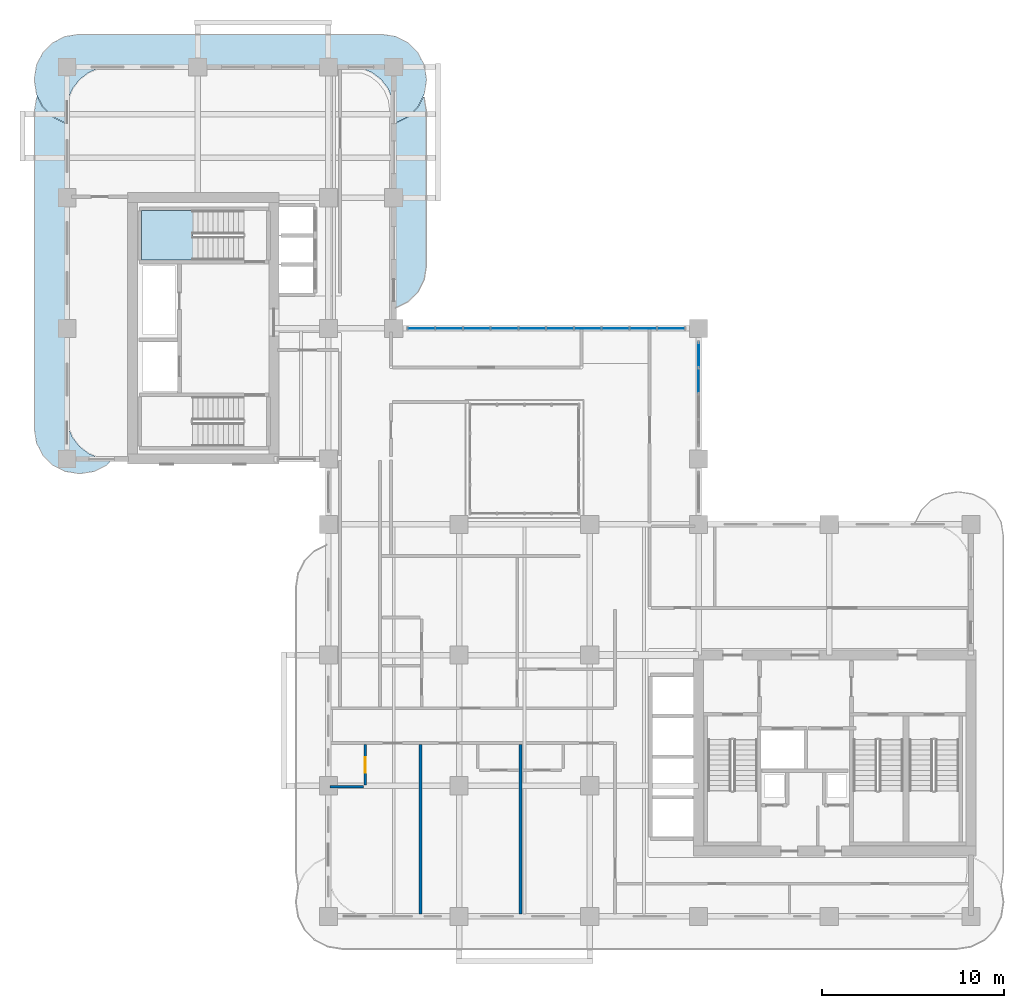
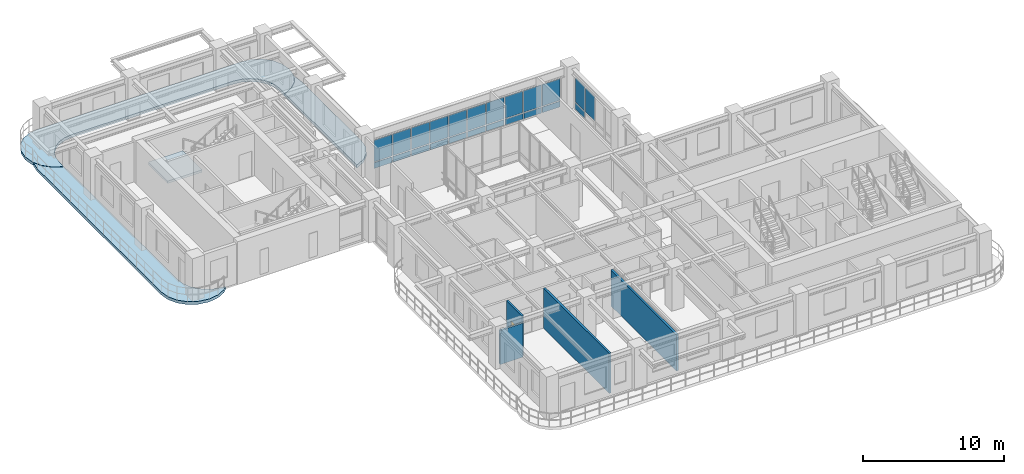
# One storey, part 10 of 19: 23 plates, 4 slabs, 4 walls, 1 door, 1 opening, 3 elements without a shape of their own.
"""IFC4 building model written with IfcOpenShell, lengths in metres."""

from ifc_helpers import new_model, si_unit, derived_unit, direction, frame, frame_2d, origin, origin_2d, place, context, subcontext, project, spatial, polyline, rectangle, outline, extrude, source, transform, mapped, material, layer, layer_set, type_object, type_shapes, element, fill, aggregate, save


model = new_model("IFC4")

# Units and contexts
model_context = context("Model", 3, precision=1e-05, world=origin(), true_north=direction((0.0, 1.0)))
body_context = subcontext(model_context, "Body", "Model", "MODEL_VIEW")
ifc_project = project(units=[si_unit("LENGTHUNIT", "METRE"), si_unit("AREAUNIT", "SQUARE_METRE"), si_unit("VOLUMEUNIT", "CUBIC_METRE"), si_unit("PLANEANGLEUNIT", "RADIAN"), si_unit("MASSUNIT", "GRAM", prefix="KILO"), si_unit("THERMODYNAMICTEMPERATUREUNIT", "KELVIN"), si_unit("POWERUNIT", "WATT"), derived_unit("THERMALTRANSMITTANCEUNIT", [(si_unit("POWERUNIT", "WATT"), 1), (si_unit("AREAUNIT", "SQUARE_METRE"), -1), (si_unit("THERMODYNAMICTEMPERATUREUNIT", "KELVIN"), -1)])], contexts=[model_context])

# Site, building, storey
site_placement = place(None, origin())
site = spatial("IfcSite", under=ifc_project, at=site_placement, CompositionType="ELEMENT")
building_placement = place(site_placement, origin())
building = spatial("IfcBuilding", under=site, at=building_placement, Name="Zahravan Archway Hotel and Residences", CompositionType="ELEMENT")
storey_placement = place(building_placement, frame((0.0, 0.0, 134.0)))
storey = spatial("IfcBuildingStorey", under=building, at=storey_placement, Name="L33", CompositionType="ELEMENT", Elevation=134.0)

# Slabs
ifc_material_1 = material(Name="Concrete C45/55", Category="concrete")
ifc_layer_1 = layer(ifc_material_1, 0.25, Name="Concrete C45/55", Category="concrete")
ifc_layer_set_1 = layer_set([ifc_layer_1], Name="Concrete C45/55")
slab_type_1 = type_object("IfcSlabType", Name="SLB-BALC-250", PredefinedType="FLOOR", material=ifc_layer_set_1)
slab_1_placement = place(storey_placement, frame((0.0, 0.0, -0.25)))
element("IfcSlab", 1, at=slab_1_placement, inside=storey, type_object=slab_type_1, Name="L33 Wing B North Rounded Balcony Band", PredefinedType="FLOOR", context=body_context, shape_type="SweptSolid", body=[
    extrude(outline(polyline([(-0.107177734375, 43.719970703125), (-0.7900390625, 44.06787109375), (-1.33203125, 44.60986328125), (-1.68017578125, 45.29296875), (-1.800048828125, 46.050048828125), (-1.800048828125, 46.14990234375), (-1.68017578125, 46.906982421875), (-1.33203125, 47.590087890625), (-0.7900390625, 48.132080078125), (-0.107177734375, 48.47998046875), (0.64990234375, 48.60009765625), (17.35009765625, 48.60009765625), (18.107177734375, 48.47998046875), (18.7900390625, 48.132080078125), (19.33203125, 47.590087890625), (19.68017578125, 46.906982421875), (19.800048828125, 46.14990234375), (19.800048828125, 46.050048828125), (19.68017578125, 45.29296875), (19.33203125, 44.60986328125), (18.7900390625, 44.06787109375), (18.107177734375, 43.719970703125), (18.02001953125, 43.7060546875), (18.02001953125, 44.39990234375), (18.019775390625, 44.402587890625), (17.93798828125, 45.023681640625), (17.937744140625, 45.025390625), (17.937255859375, 45.027099609375), (17.936767578125, 45.02880859375), (17.697021484375, 45.607666015625), (17.6962890625, 45.609130859375), (17.6953125, 45.610595703125), (17.6943359375, 45.6123046875), (17.31298828125, 46.109375), (17.311767578125, 46.110595703125), (17.310546875, 46.11181640625), (17.309326171875, 46.113037109375), (16.812255859375, 46.494384765625), (16.810791015625, 46.495361328125), (16.80908203125, 46.49609375), (16.8076171875, 46.4970703125), (16.22900390625, 46.73681640625), (16.227294921875, 46.7373046875), (16.2255859375, 46.73779296875), (16.223876953125, 46.738037109375), (15.6025390625, 46.81982421875), (15.60009765625, 46.820068359375), (2.39990234375, 46.820068359375), (2.3974609375, 46.81982421875), (1.776123046875, 46.738037109375), (1.7744140625, 46.73779296875), (1.772705078125, 46.7373046875), (1.77099609375, 46.73681640625), (1.1923828125, 46.4970703125), (1.19091796875, 46.49609375), (1.189208984375, 46.495361328125), (1.187744140625, 46.494384765625), (0.690673828125, 46.113037109375), (0.689453125, 46.11181640625), (0.688232421875, 46.110595703125), (0.68701171875, 46.109375), (0.3056640625, 45.6123046875), (0.3046875, 45.610595703125), (0.3037109375, 45.609130859375), (0.302978515625, 45.607666015625), (0.063232421875, 45.02880859375), (0.062744140625, 45.027099609375), (0.062255859375, 45.025390625), (0.06201171875, 45.023681640625), (-0.019775390625, 44.402587890625), (-0.02001953125, 44.39990234375), (-0.02001953125, 43.7060546875), (-0.107177734375, 43.719970703125)])), origin(), (0.0, 0.0, 1.0), 0.25),
])
slab_2_placement = place(storey_placement, frame((0.0, 0.0, -0.25)))
element("IfcSlab", 2, at=slab_2_placement, inside=storey, type_object=slab_type_1, Name="L33 Wing B West Rounded Balcony Band", PredefinedType="FLOOR", context=body_context, shape_type="SweptSolid", body=[
    extrude(outline(polyline([(2.190185546875, 24.867919921875), (1.507080078125, 24.52001953125), (0.75, 24.39990234375), (0.64990234375, 24.39990234375), (-0.107177734375, 24.52001953125), (-0.7900390625, 24.867919921875), (-1.33203125, 25.409912109375), (-1.68017578125, 26.093017578125), (-1.800048828125, 26.85009765625), (-1.800048828125, 44.35009765625), (-1.68017578125, 45.107177734375), (-1.64404296875, 45.177978515625), (-1.349853515625, 44.600830078125), (-1.348876953125, 44.59912109375), (-1.34765625, 44.597412109375), (-1.34619140625, 44.595703125), (-0.80419921875, 44.0537109375), (-0.802734375, 44.052490234375), (-0.801025390625, 44.051025390625), (-0.79931640625, 44.050048828125), (-0.1162109375, 43.7021484375), (-0.1142578125, 43.701171875), (-0.1123046875, 43.70068359375), (-0.110107421875, 43.7001953125), (-0.023193359375, 43.686279296875), (-0.021240234375, 43.68603515625), (-0.02001953125, 43.68603515625), (-0.02001953125, 27.60009765625), (-0.019775390625, 27.597412109375), (0.06201171875, 26.976318359375), (0.062255859375, 26.974609375), (0.062744140625, 26.972900390625), (0.063232421875, 26.97119140625), (0.302978515625, 26.392333984375), (0.3037109375, 26.390869140625), (0.3046875, 26.389404296875), (0.3056640625, 26.3876953125), (0.68701171875, 25.890625), (0.688232421875, 25.889404296875), (0.689453125, 25.88818359375), (0.690673828125, 25.886962890625), (1.187744140625, 25.505615234375), (1.189208984375, 25.504638671875), (1.19091796875, 25.50390625), (1.1923828125, 25.5029296875), (1.77099609375, 25.26318359375), (1.772705078125, 25.2626953125), (1.7744140625, 25.26220703125), (1.776123046875, 25.261962890625), (2.3974609375, 25.18017578125), (2.39990234375, 25.179931640625), (2.502197265625, 25.179931640625), (2.190185546875, 24.867919921875)])), origin(), (0.0, 0.0, 1.0), 0.25),
])
slab_3_placement = place(storey_placement, frame((0.0, 0.0, -0.25)))
element("IfcSlab", 3, at=slab_3_placement, inside=storey, type_object=slab_type_1, Name="L33 Wing B East Rounded Balcony Band", PredefinedType="FLOOR", context=body_context, shape_type="SweptSolid", body=[
    extrude(outline(polyline([(19.68017578125, 45.107177734375), (19.800048828125, 44.35009765625), (19.800048828125, 35.85009765625), (19.68017578125, 35.093017578125), (19.33203125, 34.409912109375), (18.7900390625, 33.867919921875), (18.107177734375, 33.52001953125), (18.02001953125, 33.506103515625), (18.02001953125, 43.68603515625), (18.021240234375, 43.68603515625), (18.023193359375, 43.686279296875), (18.110107421875, 43.7001953125), (18.1123046875, 43.70068359375), (18.1142578125, 43.701171875), (18.1162109375, 43.7021484375), (18.79931640625, 44.050048828125), (18.801025390625, 44.051025390625), (18.802734375, 44.052490234375), (18.80419921875, 44.0537109375), (19.34619140625, 44.595703125), (19.34765625, 44.597412109375), (19.348876953125, 44.59912109375), (19.349853515625, 44.600830078125), (19.64404296875, 45.177978515625), (19.68017578125, 45.107177734375)])), origin(), (0.0, 0.0, 1.0), 0.25),
])

# Stair, slab
ifc_material_2 = material(Name="Concrete C50/60", Category="concrete")
stair_type = type_object("IfcStairType", Name="STR-CORE-1300", PredefinedType="HALF_TURN_STAIR", material=ifc_material_2)
stair_placement = place(storey_placement, origin())
stair = element("IfcStair", 4, at=stair_placement, inside=storey, type_object=stair_type, Name="L33 Core B Exit Stair 2", PredefinedType="HALF_TURN_STAIR")
ifc_layer_2 = layer(ifc_material_2, 0.199951171875, Name="Concrete C50/60", Category="concrete")
ifc_layer_set_2 = layer_set([ifc_layer_2], Name="Concrete C50/60")
slab_type_2 = type_object("IfcSlabType", Name="SLB-LND-200", PredefinedType="LANDING", material=ifc_layer_set_2)
slab_4_placement = place(storey_placement, frame((0.0, 0.0, 1.64990234375)))
slab_4 = element("IfcSlab", 5, at=slab_4_placement, type_object=slab_type_2, Name="ST-B2 landing 1", PredefinedType="LANDING", context=body_context, shape_type="SweptSolid", body=[
    extrude(outline(polyline([(6.929931640625, 38.89990234375), (4.10009765625, 38.89990234375), (4.10009765625, 36.159912109375), (6.929931640625, 36.159912109375), (6.929931640625, 38.89990234375)])), origin(), (0.0, 0.0, 1.0), 0.2001953125),
])
aggregate(stair, [slab_4])

# Curtain wall, plates
ifc_material_3 = material(Name="Bronze-Anodized Unitised Aluminium & Low-E Glass", Category="aluminium")
ifc_layer_3 = layer(ifc_material_3, 0.179931640625, Name="Bronze-Anodized Unitised Aluminium & Low-E Glass", Category="aluminium")
ifc_layer_set_3 = layer_set([ifc_layer_3], Name="Bronze-Anodized Unitised Aluminium & Low-E Glass")
curtain_wall_type = type_object("IfcCurtainWallType", Name="CW-ATR-GLAZ", PredefinedType="NOTDEFINED", material=ifc_layer_set_3)
curtain_wall_1_placement = place(storey_placement, origin())
curtain_wall_1 = element("IfcCurtainWall", 6, at=curtain_wall_1_placement, inside=storey, type_object=curtain_wall_type, Name="L33 Curtain Wall CW-L33-HNG-N-1", PredefinedType="NOTDEFINED")
ifc_material_4 = material(Name="Insulated Terracotta Spandrel Panel", Category="masonry")
ifc_layer_4 = layer(ifc_material_4, 0.0400390625, Name="Insulated Terracotta Spandrel Panel", Category="masonry")
ifc_layer_set_4 = layer_set([ifc_layer_4], Name="Insulated Terracotta Spandrel Panel")
plate_type_1 = type_object("IfcPlateType", Name="CWP-SPN-40", PredefinedType="SHEET", material=ifc_layer_set_4)
shared_shape_1 = source(origin(), body_context, "Body", "SweptSolid", [
    extrude(rectangle(XDim=1.447998046875, YDim=0.0400390625, at=origin_2d()), origin(), (0.0, 0.0, 1.0), 0.492431640625),
])
plate_1_placement = place(storey_placement, frame((19.52392578125, 32.39990234375, 0.10009765625), z_axis=(0.0, 0.0, 1.0), x_axis=(1.0, 0.0, 0.0)))
plate_1 = element("IfcPlate", 7, at=plate_1_placement, type_object=plate_type_1, Name="CW-L33-HNG-N-1 Spandrel Panel 0", PredefinedType="SHEET", context=body_context, shape_type="MappedRepresentation", body=[
    mapped(shared_shape_1, transform((0.0, 0.0, 0.0), scale=1.0)),
])
plate_2_placement = place(storey_placement, frame((21.052001953125, 32.39990234375, 0.10009765625), z_axis=(0.0, 0.0, 1.0), x_axis=(1.0, 0.0, 0.0)))
plate_2 = element("IfcPlate", 8, at=plate_2_placement, type_object=plate_type_1, Name="CW-L33-HNG-N-1 Spandrel Panel 1", PredefinedType="SHEET", context=body_context, shape_type="MappedRepresentation", body=[
    mapped(shared_shape_1, transform((0.0, 0.0, 0.0), scale=1.0)),
])
plate_3_placement = place(storey_placement, frame((22.580078125, 32.39990234375, 0.10009765625), z_axis=(0.0, 0.0, 1.0), x_axis=(1.0, 0.0, 0.0)))
plate_3 = element("IfcPlate", 9, at=plate_3_placement, type_object=plate_type_1, Name="CW-L33-HNG-N-1 Spandrel Panel 2", PredefinedType="SHEET", context=body_context, shape_type="MappedRepresentation", body=[
    mapped(shared_shape_1, transform((0.0, 0.0, 0.0), scale=1.0)),
])
plate_4_placement = place(storey_placement, frame((24.10791015625, 32.39990234375, 0.10009765625), z_axis=(0.0, 0.0, 1.0), x_axis=(1.0, 0.0, 0.0)))
plate_4 = element("IfcPlate", 10, at=plate_4_placement, type_object=plate_type_1, Name="CW-L33-HNG-N-1 Spandrel Panel 3", PredefinedType="SHEET", context=body_context, shape_type="MappedRepresentation", body=[
    mapped(shared_shape_1, transform((0.0, 0.0, 0.0), scale=1.0)),
])
plate_5_placement = place(storey_placement, frame((25.635986328125, 32.39990234375, 0.10009765625), z_axis=(0.0, 0.0, 1.0), x_axis=(1.0, 0.0, 0.0)))
plate_5 = element("IfcPlate", 11, at=plate_5_placement, type_object=plate_type_1, Name="CW-L33-HNG-N-1 Spandrel Panel 4", PredefinedType="SHEET", context=body_context, shape_type="MappedRepresentation", body=[
    mapped(shared_shape_1, transform((0.0, 0.0, 0.0), scale=1.0)),
])
plate_6_placement = place(storey_placement, frame((27.1640625, 32.39990234375, 0.10009765625), z_axis=(0.0, 0.0, 1.0), x_axis=(1.0, 0.0, 0.0)))
plate_6 = element("IfcPlate", 12, at=plate_6_placement, type_object=plate_type_1, Name="CW-L33-HNG-N-1 Spandrel Panel 5", PredefinedType="SHEET", context=body_context, shape_type="MappedRepresentation", body=[
    mapped(shared_shape_1, transform((0.0, 0.0, 0.0), scale=1.0)),
])
plate_7_placement = place(storey_placement, frame((28.69189453125, 32.39990234375, 0.10009765625), z_axis=(0.0, 0.0, 1.0), x_axis=(1.0, 0.0, 0.0)))
plate_7 = element("IfcPlate", 13, at=plate_7_placement, type_object=plate_type_1, Name="CW-L33-HNG-N-1 Spandrel Panel 6", PredefinedType="SHEET", context=body_context, shape_type="MappedRepresentation", body=[
    mapped(shared_shape_1, transform((0.0, 0.0, 0.0), scale=1.0)),
])
plate_8_placement = place(storey_placement, frame((30.219970703125, 32.39990234375, 0.10009765625), z_axis=(0.0, 0.0, 1.0), x_axis=(1.0, 0.0, 0.0)))
plate_8 = element("IfcPlate", 14, at=plate_8_placement, type_object=plate_type_1, Name="CW-L33-HNG-N-1 Spandrel Panel 7", PredefinedType="SHEET", context=body_context, shape_type="MappedRepresentation", body=[
    mapped(shared_shape_1, transform((0.0, 0.0, 0.0), scale=1.0)),
])
plate_9_placement = place(storey_placement, frame((31.748046875, 32.39990234375, 0.10009765625), z_axis=(0.0, 0.0, 1.0), x_axis=(1.0, 0.0, 0.0)))
plate_9 = element("IfcPlate", 15, at=plate_9_placement, type_object=plate_type_1, Name="CW-L33-HNG-N-1 Spandrel Panel 8", PredefinedType="SHEET", context=body_context, shape_type="MappedRepresentation", body=[
    mapped(shared_shape_1, transform((0.0, 0.0, 0.0), scale=1.0)),
])
plate_10_placement = place(storey_placement, frame((33.27587890625, 32.39990234375, 0.10009765625), z_axis=(0.0, 0.0, 1.0), x_axis=(1.0, 0.0, 0.0)))
plate_10 = element("IfcPlate", 16, at=plate_10_placement, type_object=plate_type_1, Name="CW-L33-HNG-N-1 Spandrel Panel 9", PredefinedType="SHEET", context=body_context, shape_type="MappedRepresentation", body=[
    mapped(shared_shape_1, transform((0.0, 0.0, 0.0), scale=1.0)),
])
ifc_material_5 = material(Name="Double-Silver Low-E Insulated Vision Glass", Category="glass")
ifc_layer_5 = layer(ifc_material_5, 0.028076171875, Name="Double-Silver Low-E Insulated Vision Glass", Category="glass")
ifc_layer_set_5 = layer_set([ifc_layer_5], Name="Double-Silver Low-E Insulated Vision Glass")
plate_type_2 = type_object("IfcPlateType", Name="CWP-GLZ-28", PredefinedType="CURTAIN_PANEL", material=ifc_layer_set_5)
shared_shape_2 = source(origin(), body_context, "Body", "SweptSolid", [
    extrude(rectangle(XDim=1.447998046875, YDim=0.028076171875, at=origin_2d()), origin(), (0.0, 0.0, 1.0), 1.862548828125),
])
plate_11_placement = place(storey_placement, frame((19.52392578125, 32.39990234375, 0.67236328125), z_axis=(0.0, 0.0, 1.0), x_axis=(1.0, 0.0, 0.0)))
plate_11 = element("IfcPlate", 17, at=plate_11_placement, type_object=plate_type_2, Name="CW-L33-HNG-N-1 Low-E Vision Panel 0", PredefinedType="CURTAIN_PANEL", context=body_context, shape_type="MappedRepresentation", body=[
    mapped(shared_shape_2, transform((0.0, 0.0, 0.0), scale=1.0)),
])
plate_12_placement = place(storey_placement, frame((21.052001953125, 32.39990234375, 0.67236328125), z_axis=(0.0, 0.0, 1.0), x_axis=(1.0, 0.0, 0.0)))
plate_12 = element("IfcPlate", 18, at=plate_12_placement, type_object=plate_type_2, Name="CW-L33-HNG-N-1 Low-E Vision Panel 1", PredefinedType="CURTAIN_PANEL", context=body_context, shape_type="MappedRepresentation", body=[
    mapped(shared_shape_2, transform((0.0, 0.0, 0.0), scale=1.0)),
])
plate_13_placement = place(storey_placement, frame((22.580078125, 32.39990234375, 0.67236328125), z_axis=(0.0, 0.0, 1.0), x_axis=(1.0, 0.0, 0.0)))
plate_13 = element("IfcPlate", 19, at=plate_13_placement, type_object=plate_type_2, Name="CW-L33-HNG-N-1 Low-E Vision Panel 2", PredefinedType="CURTAIN_PANEL", context=body_context, shape_type="MappedRepresentation", body=[
    mapped(shared_shape_2, transform((0.0, 0.0, 0.0), scale=1.0)),
])
plate_14_placement = place(storey_placement, frame((24.10791015625, 32.39990234375, 0.67236328125), z_axis=(0.0, 0.0, 1.0), x_axis=(1.0, 0.0, 0.0)))
plate_14 = element("IfcPlate", 20, at=plate_14_placement, type_object=plate_type_2, Name="CW-L33-HNG-N-1 Low-E Vision Panel 3", PredefinedType="CURTAIN_PANEL", context=body_context, shape_type="MappedRepresentation", body=[
    mapped(shared_shape_2, transform((0.0, 0.0, 0.0), scale=1.0)),
])
plate_15_placement = place(storey_placement, frame((25.635986328125, 32.39990234375, 0.67236328125), z_axis=(0.0, 0.0, 1.0), x_axis=(1.0, 0.0, 0.0)))
plate_15 = element("IfcPlate", 21, at=plate_15_placement, type_object=plate_type_2, Name="CW-L33-HNG-N-1 Low-E Vision Panel 4", PredefinedType="CURTAIN_PANEL", context=body_context, shape_type="MappedRepresentation", body=[
    mapped(shared_shape_2, transform((0.0, 0.0, 0.0), scale=1.0)),
])
plate_16_placement = place(storey_placement, frame((27.1640625, 32.39990234375, 0.67236328125), z_axis=(0.0, 0.0, 1.0), x_axis=(1.0, 0.0, 0.0)))
plate_16 = element("IfcPlate", 22, at=plate_16_placement, type_object=plate_type_2, Name="CW-L33-HNG-N-1 Low-E Vision Panel 5", PredefinedType="CURTAIN_PANEL", context=body_context, shape_type="MappedRepresentation", body=[
    mapped(shared_shape_2, transform((0.0, 0.0, 0.0), scale=1.0)),
])
plate_17_placement = place(storey_placement, frame((28.69189453125, 32.39990234375, 0.67236328125), z_axis=(0.0, 0.0, 1.0), x_axis=(1.0, 0.0, 0.0)))
plate_17 = element("IfcPlate", 23, at=plate_17_placement, type_object=plate_type_2, Name="CW-L33-HNG-N-1 Low-E Vision Panel 6", PredefinedType="CURTAIN_PANEL", context=body_context, shape_type="MappedRepresentation", body=[
    mapped(shared_shape_2, transform((0.0, 0.0, 0.0), scale=1.0)),
])
plate_18_placement = place(storey_placement, frame((30.219970703125, 32.39990234375, 0.67236328125), z_axis=(0.0, 0.0, 1.0), x_axis=(1.0, 0.0, 0.0)))
plate_18 = element("IfcPlate", 24, at=plate_18_placement, type_object=plate_type_2, Name="CW-L33-HNG-N-1 Low-E Vision Panel 7", PredefinedType="CURTAIN_PANEL", context=body_context, shape_type="MappedRepresentation", body=[
    mapped(shared_shape_2, transform((0.0, 0.0, 0.0), scale=1.0)),
])
plate_19_placement = place(storey_placement, frame((31.748046875, 32.39990234375, 0.67236328125), z_axis=(0.0, 0.0, 1.0), x_axis=(1.0, 0.0, 0.0)))
plate_19 = element("IfcPlate", 25, at=plate_19_placement, type_object=plate_type_2, Name="CW-L33-HNG-N-1 Low-E Vision Panel 8", PredefinedType="CURTAIN_PANEL", context=body_context, shape_type="MappedRepresentation", body=[
    mapped(shared_shape_2, transform((0.0, 0.0, 0.0), scale=1.0)),
])
plate_20_placement = place(storey_placement, frame((33.27587890625, 32.39990234375, 0.67236328125), z_axis=(0.0, 0.0, 1.0), x_axis=(1.0, 0.0, 0.0)))
plate_20 = element("IfcPlate", 26, at=plate_20_placement, type_object=plate_type_2, Name="CW-L33-HNG-N-1 Low-E Vision Panel 9", PredefinedType="CURTAIN_PANEL", context=body_context, shape_type="MappedRepresentation", body=[
    mapped(shared_shape_2, transform((0.0, 0.0, 0.0), scale=1.0)),
])
aggregate(curtain_wall_1, [plate_1, plate_11, plate_2, plate_12, plate_3, plate_13, plate_4, plate_14, plate_5, plate_15, plate_6, plate_16, plate_7, plate_17, plate_8, plate_18, plate_9, plate_19, plate_10, plate_20])

curtain_wall_2_placement = place(storey_placement, origin())
curtain_wall_2 = element("IfcCurtainWall", 27, at=curtain_wall_2_placement, inside=storey, type_object=curtain_wall_type, Name="L33 Curtain Wall CW-L33-HNG-E-2", PredefinedType="NOTDEFINED")
shared_shape_3 = source(origin(), body_context, "Body", "SweptSolid", [
    extrude(rectangle(XDim=1.340087890625, YDim=0.0400390625, at=origin_2d()), origin(), (0.0, 0.0, 1.0), 0.564453125),
])
plate_21_placement = place(storey_placement, frame((34.800048828125, 30.929931640625, 0.099853515625), z_axis=(0.0, 0.0, 1.0), x_axis=(0.0, 1.0, 0.0)))
plate_21 = element("IfcPlate", 28, at=plate_21_placement, type_object=plate_type_1, Name="CW-L33-HNG-E-2 Spandrel Panel 3", PredefinedType="SHEET", context=body_context, shape_type="MappedRepresentation", body=[
    mapped(shared_shape_3, transform((0.0, 0.0, 0.0), scale=1.0)),
])
shared_shape_4 = source(origin(), body_context, "Body", "SweptSolid", [
    extrude(rectangle(XDim=1.340087890625, YDim=0.028076171875, at=origin_2d()), origin(), (0.0, 0.0, 1.0), 2.090576171875),
])
plate_22_placement = place(storey_placement, frame((34.800048828125, 29.510009765625, 0.74462890625), z_axis=(0.0, 0.0, 1.0), x_axis=(0.0, 1.0, 0.0)))
plate_22 = element("IfcPlate", 29, at=plate_22_placement, type_object=plate_type_2, Name="CW-L33-HNG-E-2 Low-E Vision Panel 2", PredefinedType="CURTAIN_PANEL", context=body_context, shape_type="MappedRepresentation", body=[
    mapped(shared_shape_4, transform((0.0, 0.0, 0.0), scale=1.0)),
])
plate_23_placement = place(storey_placement, frame((34.800048828125, 30.929931640625, 0.74462890625), z_axis=(0.0, 0.0, 1.0), x_axis=(0.0, 1.0, 0.0)))
plate_23 = element("IfcPlate", 30, at=plate_23_placement, type_object=plate_type_2, Name="CW-L33-HNG-E-2 Low-E Vision Panel 3", PredefinedType="CURTAIN_PANEL", context=body_context, shape_type="MappedRepresentation", body=[
    mapped(shared_shape_4, transform((0.0, 0.0, 0.0), scale=1.0)),
])
aggregate(curtain_wall_2, [plate_22, plate_21, plate_23])

# Walls
ifc_material_6 = material(Name="Acoustic Stud Partition")
ifc_layer_6 = layer(ifc_material_6, 0.169921875, Name="Acoustic Stud Partition")
ifc_layer_set_6 = layer_set([ifc_layer_6], Name="Acoustic Stud Partition")
wall_type_1 = type_object("IfcWallType", Name="PW-UNIT-170", PredefinedType="PARTITIONING", material=ifc_layer_set_6)
wall_1_placement = place(storey_placement, frame((19.47998046875, 0.14794921875, 0.0), z_axis=(0.0, 0.0, 1.0), x_axis=(0.0, 1.0, 0.0)))
element("IfcWall", 31, at=wall_1_placement, inside=storey, type_object=wall_type_1, Name="L33 Partition WAS-0A", PredefinedType="PARTITIONING", context=body_context, shape_type="SweptSolid", body=[
    extrude(rectangle(XDim=9.31201171875, YDim=0.169921875, at=frame_2d((4.656005859375, 0.0))), origin(), (0.0, 0.0, 1.0), 3.449951171875),
])
wall_2_placement = place(storey_placement, frame((24.986083984375, 0.14794921875, 0.0), z_axis=(0.0, 0.0, 1.0), x_axis=(0.0, 1.0, 0.0)))
element("IfcWall", 32, at=wall_2_placement, inside=storey, type_object=wall_type_1, Name="L33 Partition WAS-0B", PredefinedType="PARTITIONING", context=body_context, shape_type="SweptSolid", body=[
    extrude(rectangle(XDim=9.31201171875, YDim=0.169921875, at=frame_2d((4.656005859375, 0.0))), origin(), (0.0, 0.0, 1.0), 3.10498046875),
])

# Wall, opening, door
ifc_material_7 = material(Name="Moisture-Resistant Blockwork", Category="masonry")
ifc_layer_7 = layer(ifc_material_7, 0.139892578125, Name="Moisture-Resistant Blockwork", Category="masonry")
ifc_layer_set_7 = layer_set([ifc_layer_7], Name="Moisture-Resistant Blockwork")
wall_type_2 = type_object("IfcWallType", Name="PW-WET-140", PredefinedType="PARTITIONING", material=ifc_layer_set_7)
wall_3_placement = place(storey_placement, frame((16.431884765625, 7.239990234375, 0.0), z_axis=(0.0, 0.0, 1.0), x_axis=(0.0, 1.0, 0.0)))
wall_3 = element("IfcWall", 33, at=wall_3_placement, inside=storey, type_object=wall_type_2, Name="L33 Partition HKB-V1", PredefinedType="PARTITIONING", context=body_context, shape_type="SweptSolid", body=[
    extrude(rectangle(XDim=2.219970703125, YDim=0.139892578125, at=frame_2d((1.10986328125, 0.0))), origin(), (0.0, 0.0, 1.0), 3.449951171875),
])
opening_placement = place(wall_3_placement, frame((0.68505859375, 0.0, 0.0)))
opening = element("IfcOpeningElement", 34, at=opening_placement, cuts=wall_3, Name="Opening D-B1", PredefinedType="OPENING", context=body_context, shape_type="SweptSolid", body=[
    extrude(rectangle(XDim=0.85009765625, YDim=2.10009765625, at=frame_2d((0.425048828125, 1.050048828125))), frame((0.0, 0.080078125, 0.0), z_axis=(0.0, -1.0, 0.0), x_axis=(1.0, 0.0, 0.0)), (0.0, 0.0, 1.0), 0.159912109375),
])
ifc_material_8 = material(Name="Hardwood Veneer Timber", Category="wood")
door_type = type_object("IfcDoorType", Name="ID-BATH-850", OperationType="NOTDEFINED", PredefinedType="DOOR", material=ifc_material_8)
shared_shape_5 = source(origin(), body_context, "Body", "SweptSolid", [
    extrude(rectangle(XDim=0.85009765625, YDim=2.10009765625, at=frame_2d((0.425048828125, 1.050048828125))), frame((0.0, 0.02490234375, 0.0), z_axis=(0.0, -1.0, 0.0), x_axis=(1.0, 0.0, 0.0)), (0.0, 0.0, 1.0), 0.050048828125),
])
type_shapes(door_type, [shared_shape_5])
door_placement = place(opening_placement, origin())
door = element("IfcDoor", 35, at=door_placement, inside=storey, type_object=door_type, Name="L33 Guestroom 1 En-Suite Door", OperationType="SINGLE_SWING_LEFT", OverallHeight=2.10009765625, OverallWidth=0.85009765625, PredefinedType="DOOR", context=body_context, shape_type="MappedRepresentation", body=[
    mapped(shared_shape_5, transform((0.0, 0.0, 0.0), scale=1.0)),
])
fill(opening, door)

# Wall
wall_4_placement = place(storey_placement, frame((14.489990234375, 7.14990234375, 0.0), z_axis=(0.0, 0.0, 1.0), x_axis=(1.0, 0.0, 0.0)))
element("IfcWall", 36, at=wall_4_placement, inside=storey, type_object=wall_type_2, Name="L33 Partition HKB-H1", PredefinedType="PARTITIONING", context=body_context, shape_type="SweptSolid", body=[
    extrude(rectangle(XDim=1.85205078125, YDim=0.139892578125, at=frame_2d((0.926025390625, 0.0))), origin(), (0.0, 0.0, 1.0), 2.93505859375),
])

save(model, "model.ifc")
